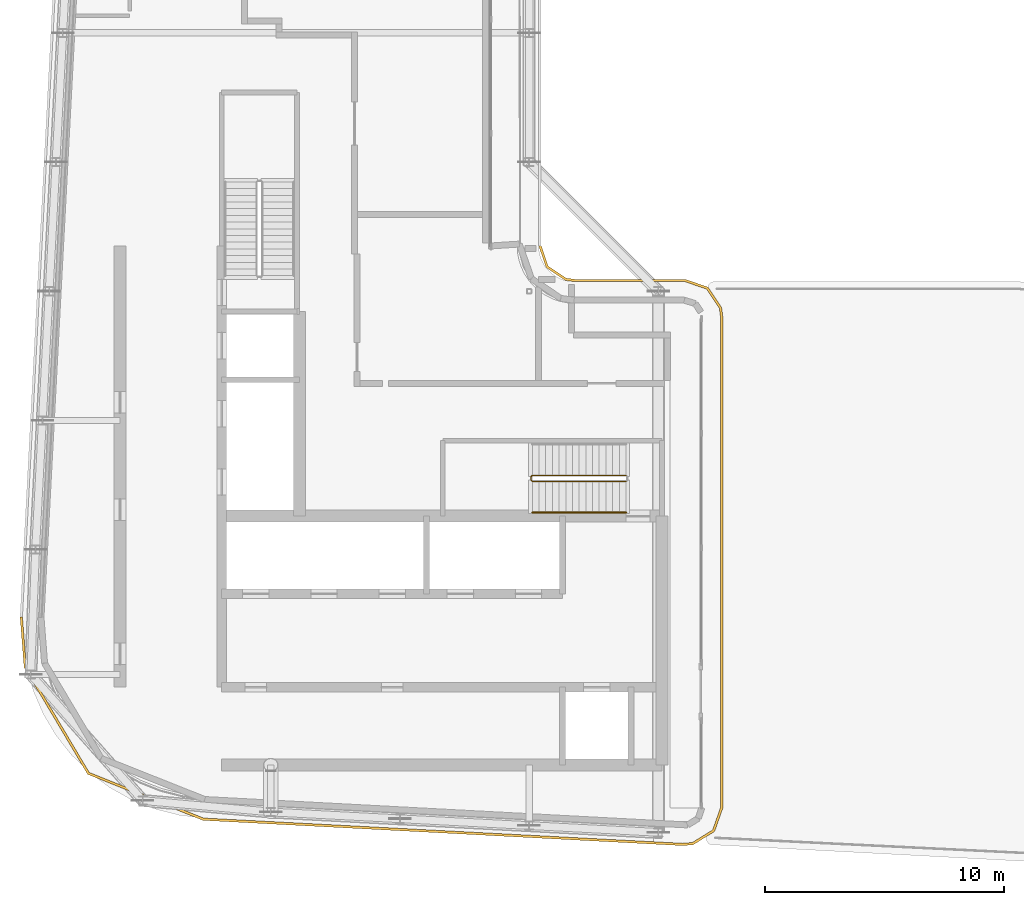
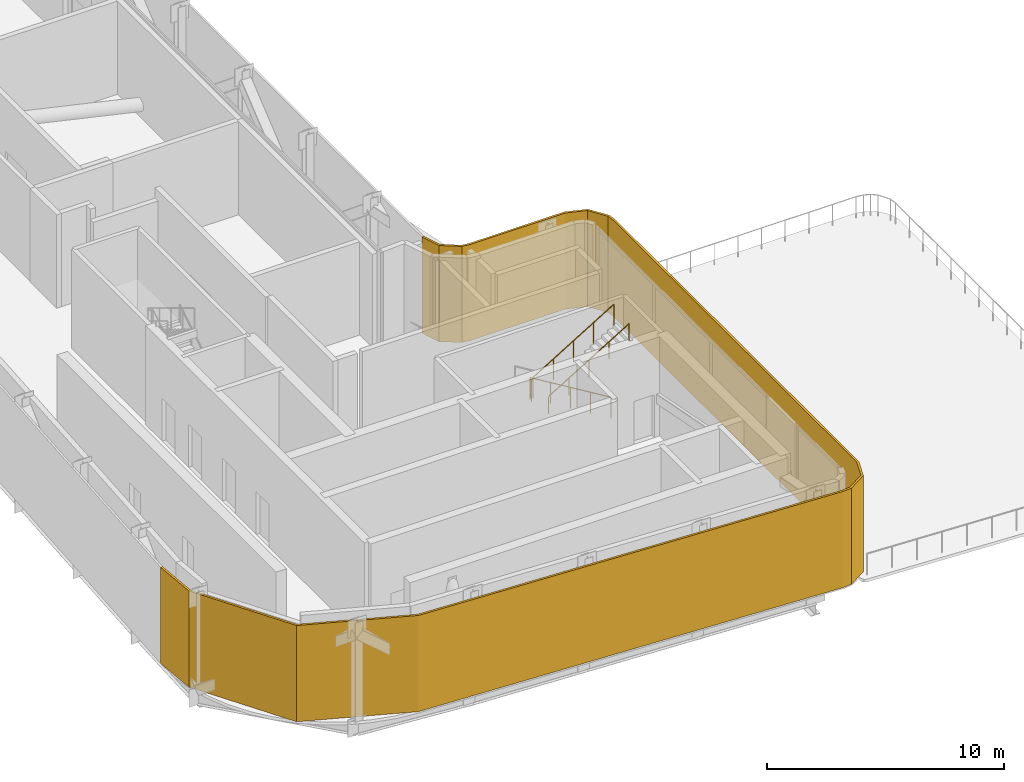
# One storey, part 14 of 18: 2 railings, 1 shading device.
"""IFC4 building model written with IfcOpenShell, lengths in metres."""

from ifc_helpers import new_model, si_unit, direction, frame, origin, origin_2d, place, context, subcontext, project, spatial, polyline, circle, outline, extrude, material, layer, layer_set, type_object, element, save


model = new_model("IFC4")

# Units and contexts
model_context = context("Model", 3, precision=1e-05, world=origin(), true_north=direction((0.0, 1.0)))
body_context = subcontext(model_context, "Body", "Model", "MODEL_VIEW")
ifc_project = project(units=[si_unit("LENGTHUNIT", "METRE"), si_unit("AREAUNIT", "SQUARE_METRE"), si_unit("VOLUMEUNIT", "CUBIC_METRE"), si_unit("PLANEANGLEUNIT", "RADIAN"), si_unit("MASSUNIT", "GRAM", prefix="KILO")], contexts=[model_context])

# Site, building, storey
site_placement = place(None, origin())
site = spatial("IfcSite", under=ifc_project, at=site_placement, CompositionType="ELEMENT")
building_placement = place(site_placement, origin())
building = spatial("IfcBuilding", under=site, at=building_placement, Name="Kheshtan School and Residences Tower", CompositionType="ELEMENT")
storey_placement = place(building_placement, frame((0.0, 0.0, 333.199951171875)))
storey = spatial("IfcBuildingStorey", under=building, at=storey_placement, Name="L78", CompositionType="ELEMENT", Elevation=333.199951171875)

# Shading device
ifc_material_1 = material(Name="Terracotta louvre blades", Category="masonry")
ifc_layer = layer(ifc_material_1, 0.10009765625)
ifc_layer_set = layer_set([ifc_layer], Name="Plant louvre screen")
shading_device_type = type_object("IfcShadingDeviceType", Name="Plant louvre screen", PredefinedType="JALOUSIE", material=ifc_layer_set)
shading_device_placement = place(storey_placement, origin())
element("IfcShadingDevice", 1, at=shading_device_placement, inside=storey, type_object=shading_device_type, Name="Screen L78 4", PredefinedType="JALOUSIE", context=body_context, shape_type="SweptSolid", body=[
    extrude(outline(polyline([(48.0, 47.5), (48.31005859375, 46.5869140625), (49.112060546875, 46.051025390625), (49.5, 46.0), (54.10009765625, 46.0), (55.012939453125, 45.68994140625), (55.549072265625, 44.887939453125), (55.60009765625, 44.5), (55.60009765625, 24.02294921875), (55.27001953125, 23.083984375), (54.424072265625, 22.55908203125), (54.02099609375, 22.52490234375), (33.989013671875, 23.580078125), (29.2119140625, 25.486083984375), (26.583984375, 29.906982421875), (26.419921875, 31.989013671875), (26.320068359375, 31.98095703125), (26.486083984375, 29.8759765625), (29.14306640625, 25.406005859375), (33.967041015625, 23.48095703125), (54.02294921875, 22.425048828125), (54.4560546875, 22.4609375), (55.35302734375, 23.01806640625), (55.699951171875, 24.006103515625), (55.699951171875, 44.507080078125), (55.64501953125, 44.924072265625), (55.076904296875, 45.77392578125), (54.116943359375, 46.10009765625), (49.507080078125, 46.10009765625), (49.14794921875, 46.14697265625), (48.39404296875, 46.65087890625), (48.094970703125, 47.531982421875), (48.0, 47.5)])), origin(), (0.0, 0.0, 1.0), 4.949951171875),
])

# Railings
ifc_material_2 = material(Name="Stainless steel balustrade", Category="steel")
railing_type_1 = type_object("IfcRailingType", Name="Stair guard 1100", PredefinedType="GUARDRAIL", material=ifc_material_2)
railing_1_placement = place(storey_placement, frame((51.64990234375, 37.89990234375, 0.170166015625)))
element("IfcRailing", 2, at=railing_1_placement, inside=storey, type_object=railing_type_1, Name="L78 ST1 stair guard 1", PredefinedType="GUARDRAIL", context=body_context, shape_type="SweptSolid", body=[
    extrude(circle(Radius=0.02392578125, at=origin_2d()), frame((0.0, 0.0, 1.076171875), z_axis=(-0.854794262968, 0.0, 0.518967020143), x_axis=(0.0, -1.0, 0.0)), (0.0, 0.0, 1.0), 4.585693359375),
    extrude(circle(Radius=0.02392578125, at=origin_2d()), frame((-3.919921875, 0.0, 3.4560546875), z_axis=(-0.708833529934, -0.705375805398, 0.0), x_axis=(0.705375805398, -0.708833529934, 0.0)), (0.0, 0.0, 1.0), 0.070556640625),
    extrude(circle(Radius=0.02392578125, at=origin_2d()), frame((-3.969970703125, -0.0498046875, 3.4560546875), z_axis=(0.0, -1.0, 0.0), x_axis=(1.0, 0.0, 0.0)), (0.0, 0.0, 1.0), 0.150146484375),
    extrude(circle(Radius=0.02392578125, at=origin_2d()), frame((-3.969970703125, -0.199951171875, 3.4560546875), z_axis=(0.271895245746, -0.271895245746, 0.923117517265), x_axis=(0.707106781187, 0.707106781187, 0.0)), (0.0, 0.0, 1.0), 0.18408203125),
    extrude(circle(Radius=0.02392578125, at=origin_2d()), frame((-3.919921875, -0.25, 3.6259765625), z_axis=(0.854770645689, 0.0, 0.519005918337), x_axis=(0.0, 1.0, 0.0)), (0.0, 0.0, 1.0), 4.5859375),
    extrude(circle(Radius=0.02099609375, at=origin_2d()), origin(), (0.0, 0.0, 1.0), 1.052001953125),
    extrude(circle(Radius=0.02099609375, at=origin_2d()), frame((-0.97998046875, 0.0, 0.594970703125)), (0.0, 0.0, 1.0), 1.052001953125),
    extrude(circle(Radius=0.02099609375, at=origin_2d()), frame((-1.9599609375, 0.0, 1.18994140625)), (0.0, 0.0, 1.0), 1.052001953125),
    extrude(circle(Radius=0.02099609375, at=origin_2d()), frame((-2.93994140625, 0.0, 1.784912109375)), (0.0, 0.0, 1.0), 1.052001953125),
    extrude(circle(Radius=0.02099609375, at=origin_2d()), frame((-3.919921875, 0.0, 2.3798828125)), (0.0, 0.0, 1.0), 1.052001953125),
    extrude(circle(Radius=0.02099609375, at=origin_2d()), frame((-3.969970703125, -0.0498046875, 2.3798828125)), (0.0, 0.0, 1.0), 1.052001953125),
    extrude(circle(Radius=0.02099609375, at=origin_2d()), frame((-3.969970703125, -0.199951171875, 2.3798828125)), (0.0, 0.0, 1.0), 1.052001953125),
    extrude(circle(Radius=0.02099609375, at=origin_2d()), frame((-3.919921875, -0.25, 2.5498046875)), (0.0, 0.0, 1.0), 1.052001953125),
    extrude(circle(Radius=0.02099609375, at=origin_2d()), frame((-2.93994140625, -0.25, 3.144775390625)), (0.0, 0.0, 1.0), 1.052001953125),
    extrude(circle(Radius=0.02099609375, at=origin_2d()), frame((-1.9599609375, -0.25, 3.73974609375)), (0.0, 0.0, 1.0), 1.052001953125),
    extrude(circle(Radius=0.02099609375, at=origin_2d()), frame((-0.97998046875, -0.25, 4.3349609375)), (0.0, 0.0, 1.0), 1.052001953125),
    extrude(circle(Radius=0.02099609375, at=origin_2d()), frame((0.0, -0.25, 4.929931640625)), (0.0, 0.0, 1.0), 1.052001953125),
])
ifc_material_3 = material(Name="Stainless steel handrail", Category="steel")
railing_type_2 = type_object("IfcRailingType", Name="Stair handrail 900", PredefinedType="HANDRAIL", material=ifc_material_3)
railing_2_placement = place(storey_placement, frame((47.72998046875, 36.35009765625, 2.719970703125)))
element("IfcRailing", 3, at=railing_2_placement, inside=storey, type_object=railing_type_2, Name="L78 ST1 stair handrail 2", PredefinedType="HANDRAIL", context=body_context, shape_type="SweptSolid", body=[
    extrude(circle(Radius=0.02392578125, at=origin_2d()), frame((0.0, 0.0, 0.8759765625), z_axis=(0.854770645689, 0.0, 0.519005918337), x_axis=(0.0, 1.0, 0.0)), (0.0, 0.0, 1.0), 4.5859375),
    extrude(circle(Radius=0.02099609375, at=origin_2d()), origin(), (0.0, 0.0, 1.0), 0.851806640625),
    extrude(circle(Radius=0.02099609375, at=origin_2d()), frame((0.97998046875, 0.0, 0.594970703125)), (0.0, 0.0, 1.0), 0.851806640625),
    extrude(circle(Radius=0.02099609375, at=origin_2d()), frame((1.9599609375, 0.0, 1.18994140625)), (0.0, 0.0, 1.0), 0.851806640625),
    extrude(circle(Radius=0.02099609375, at=origin_2d()), frame((2.93994140625, 0.0, 1.78515625)), (0.0, 0.0, 1.0), 0.851806640625),
    extrude(circle(Radius=0.02099609375, at=origin_2d()), frame((3.919921875, 0.0, 2.380126953125)), (0.0, 0.0, 1.0), 0.851806640625),
])

save(model, "model.ifc")
